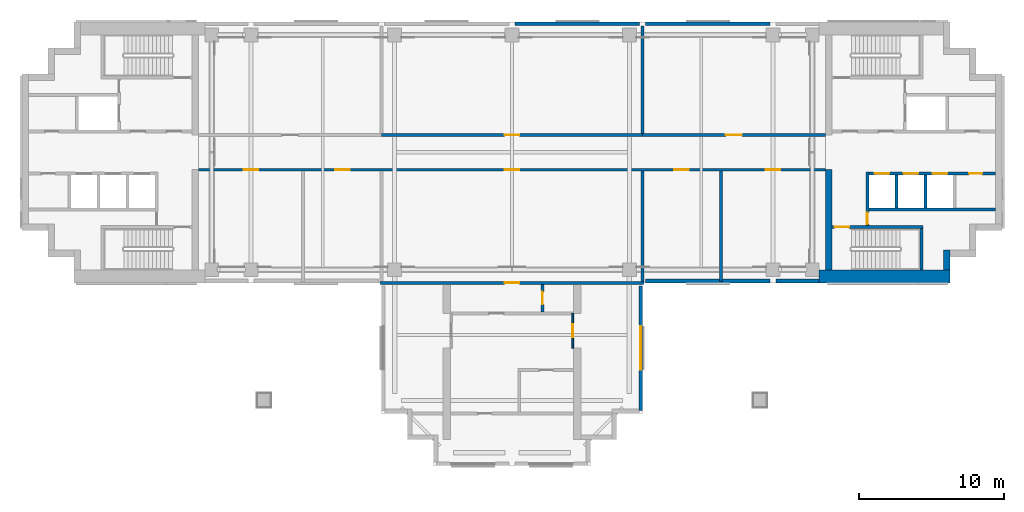
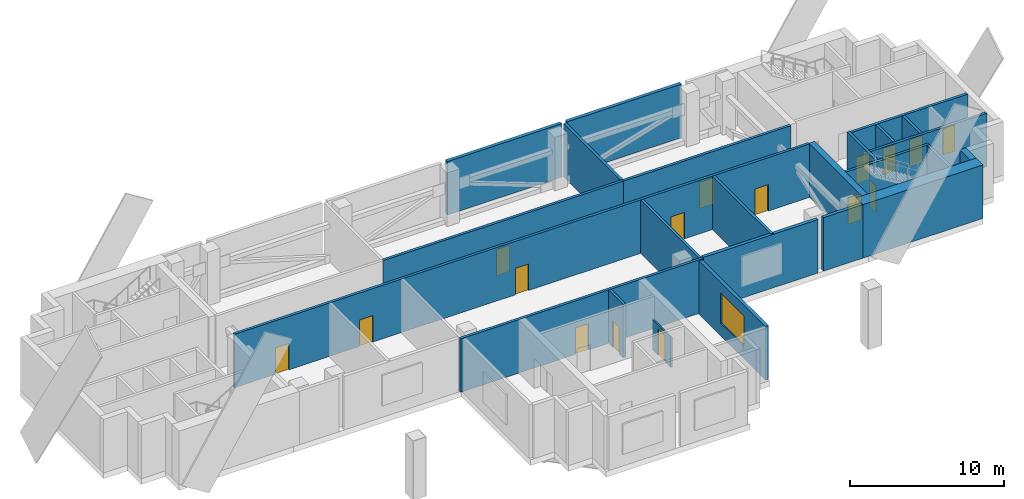
# One storey, part 4 of 8: 24 walls, 16 doors, 1 window, 17 openings.
"""IFC4 building model written with IfcOpenShell, lengths in metres."""

from ifc_helpers import new_model, si_unit, direction, frame, frame_2d, origin, place, context, subcontext, project, spatial, rectangle, extrude, material, layer, layer_set, type_object, element, fill, save


model = new_model("IFC4")

# Units and contexts
model_context = context("Model", 3, precision=1e-05, world=origin(), true_north=direction((0.0, 1.0)))
body_context = subcontext(model_context, "Body", "Model", "MODEL_VIEW")
ifc_project = project(units=[si_unit("LENGTHUNIT", "METRE"), si_unit("AREAUNIT", "SQUARE_METRE"), si_unit("VOLUMEUNIT", "CUBIC_METRE"), si_unit("PLANEANGLEUNIT", "RADIAN"), si_unit("MASSUNIT", "GRAM", prefix="KILO")], contexts=[model_context])

# Site, building, storey
site_placement = place(None, origin())
site = spatial("IfcSite", under=ifc_project, at=site_placement, CompositionType="ELEMENT")
building_placement = place(site_placement, origin())
building = spatial("IfcBuilding", under=site, at=building_placement, Name="Perihelion Cross Residences", CompositionType="ELEMENT")
storey_placement = place(building_placement, frame((0.0, 0.0, 228.0)))
storey = spatial("IfcBuildingStorey", under=building, at=storey_placement, Name="L57", CompositionType="ELEMENT", Elevation=228.0)

# Wall, opening, door
ifc_material_1 = material(Name="Plasterboard partition")
ifc_layer_1 = layer(ifc_material_1, 0.199951171875)
ifc_layer_set_1 = layer_set([ifc_layer_1], Name="Apartment riser wall 200")
wall_type_1 = type_object("IfcWallType", Name="Apartment riser wall 200", PredefinedType="PARTITIONING", material=ifc_layer_set_1)
wall_1_placement = place(storey_placement, frame((-9.0, 1.199951171875, 0.0), z_axis=(0.0, 0.0, 1.0), x_axis=(1.0, 0.0, 0.0)))
wall_1 = element("IfcWall", 1, at=wall_1_placement, inside=storey, type_object=wall_type_1, Name="Partition L57 W001", PredefinedType="PARTITIONING", context=body_context, shape_type="SweptSolid", body=[
    extrude(rectangle(XDim=18.0, YDim=0.199951171875, at=frame_2d((9.0, 0.0))), origin(), (0.0, 0.0, 1.0), 4.25),
])
opening_1_placement = place(wall_1_placement, frame((8.5, 0.0, 0.0)))
opening_1 = element("IfcOpeningElement", 2, at=opening_1_placement, cuts=wall_1, Name="Opening L57.A01", PredefinedType="OPENING", context=body_context, shape_type="SweptSolid", body=[
    extrude(rectangle(XDim=1.0, YDim=2.10009765625, at=frame_2d((0.5, 1.050048828125))), frame((0.0, 0.10986328125, 0.0), z_axis=(0.0, -1.0, 0.0), x_axis=(1.0, 0.0, 0.0)), (0.0, 0.0, 1.0), 0.219970703125),
])
ifc_material_2 = material(Name="Steel door leaf", Category="steel")
door_type_1 = type_object("IfcDoorType", Name="Plant floor door 1000 x 2100", OperationType="SINGLE_SWING_LEFT", PredefinedType="DOOR", material=ifc_material_2)
door_1_placement = place(opening_1_placement, origin())
door_1 = element("IfcDoor", 3, at=door_1_placement, inside=storey, type_object=door_type_1, Name="Door L57.A01", OperationType="SINGLE_SWING_RIGHT", OverallHeight=2.10009765625, OverallWidth=1.0, PredefinedType="DOOR", context=body_context, shape_type="SweptSolid", body=[
    extrude(rectangle(XDim=1.0, YDim=2.10009765625, at=frame_2d((0.5, 1.050048828125))), frame((0.0, 0.02490234375, 0.0), z_axis=(0.0, -1.0, 0.0), x_axis=(1.0, 0.0, 0.0)), (0.0, 0.0, 1.0), 0.050048828125),
])
fill(opening_1, door_1)

# Wall, openings, doors
wall_2_placement = place(storey_placement, frame((21.60009765625, -1.199951171875, 0.0), z_axis=(0.0, 0.0, 1.0), x_axis=(-1.0, 0.0, 0.0)))
wall_2 = element("IfcWall", 4, at=wall_2_placement, inside=storey, type_object=wall_type_1, Name="Partition L57 W002", PredefinedType="PARTITIONING", context=body_context, shape_type="SweptSolid", body=[
    extrude(rectangle(XDim=43.2001953125, YDim=0.199951171875, at=frame_2d((21.60009765625, 0.0))), origin(), (0.0, 0.0, 1.0), 4.25),
])
opening_2_placement = place(wall_2_placement, frame((21.10009765625, 0.0, 0.0)))
opening_2 = element("IfcOpeningElement", 5, at=opening_2_placement, cuts=wall_2, Name="Opening L57.A02", PredefinedType="OPENING", context=body_context, shape_type="SweptSolid", body=[
    extrude(rectangle(XDim=1.0, YDim=2.10009765625, at=frame_2d((0.5, 1.050048828125))), frame((0.0, 0.10986328125, 0.0), z_axis=(0.0, -1.0, 0.0), x_axis=(1.0, 0.0, 0.0)), (0.0, 0.0, 1.0), 0.219970703125),
])
opening_3_placement = place(wall_2_placement, frame((9.39990234375, 0.0, 0.0)))
opening_3 = element("IfcOpeningElement", 6, at=opening_3_placement, cuts=wall_2, Name="Opening L57.A04", PredefinedType="OPENING", context=body_context, shape_type="SweptSolid", body=[
    extrude(rectangle(XDim=1.0, YDim=2.10009765625, at=frame_2d((0.5, 1.050048828125))), frame((0.0, 0.10986328125, 0.0), z_axis=(0.0, -1.0, 0.0), x_axis=(1.0, 0.0, 0.0)), (0.0, 0.0, 1.0), 0.219970703125),
])
opening_4_placement = place(wall_2_placement, frame((3.10009765625, 0.0, 0.0)))
opening_4 = element("IfcOpeningElement", 7, at=opening_4_placement, cuts=wall_2, Name="Opening L57.A05", PredefinedType="OPENING", context=body_context, shape_type="SweptSolid", body=[
    extrude(rectangle(XDim=1.0, YDim=2.10009765625, at=frame_2d((0.5, 1.050048828125))), frame((0.0, 0.10986328125, 0.0), z_axis=(0.0, -1.0, 0.0), x_axis=(1.0, 0.0, 0.0)), (0.0, 0.0, 1.0), 0.219970703125),
])
opening_5_placement = place(wall_2_placement, frame((32.800048828125, 0.0, 0.0)))
opening_5 = element("IfcOpeningElement", 8, at=opening_5_placement, cuts=wall_2, Name="Opening L57.A07", PredefinedType="OPENING", context=body_context, shape_type="SweptSolid", body=[
    extrude(rectangle(XDim=1.0, YDim=2.10009765625, at=frame_2d((0.5, 1.050048828125))), frame((0.0, 0.10986328125, 0.0), z_axis=(0.0, -1.0, 0.0), x_axis=(1.0, 0.0, 0.0)), (0.0, 0.0, 1.0), 0.219970703125),
])
opening_6_placement = place(wall_2_placement, frame((39.10009765625, 0.0, 0.0)))
opening_6 = element("IfcOpeningElement", 9, at=opening_6_placement, cuts=wall_2, Name="Opening L57.A08", PredefinedType="OPENING", context=body_context, shape_type="SweptSolid", body=[
    extrude(rectangle(XDim=1.0, YDim=2.10009765625, at=frame_2d((0.5, 1.050048828125))), frame((0.0, 0.10986328125, 0.0), z_axis=(0.0, -1.0, 0.0), x_axis=(1.0, 0.0, 0.0)), (0.0, 0.0, 1.0), 0.219970703125),
])
door_2_placement = place(opening_2_placement, origin())
door_2 = element("IfcDoor", 10, at=door_2_placement, inside=storey, type_object=door_type_1, Name="Door L57.A02", OperationType="SINGLE_SWING_RIGHT", OverallHeight=2.10009765625, OverallWidth=1.0, PredefinedType="DOOR", context=body_context, shape_type="SweptSolid", body=[
    extrude(rectangle(XDim=1.0, YDim=2.10009765625, at=frame_2d((0.5, 1.050048828125))), frame((0.0, 0.02490234375, 0.0), z_axis=(0.0, -1.0, 0.0), x_axis=(1.0, 0.0, 0.0)), (0.0, 0.0, 1.0), 0.050048828125),
])
fill(opening_2, door_2)
door_3_placement = place(opening_3_placement, origin())
door_3 = element("IfcDoor", 11, at=door_3_placement, inside=storey, type_object=door_type_1, Name="Door L57.A04", OperationType="SINGLE_SWING_RIGHT", OverallHeight=2.10009765625, OverallWidth=1.0, PredefinedType="DOOR", context=body_context, shape_type="SweptSolid", body=[
    extrude(rectangle(XDim=1.0, YDim=2.10009765625, at=frame_2d((0.5, 1.050048828125))), frame((0.0, 0.02490234375, 0.0), z_axis=(0.0, -1.0, 0.0), x_axis=(1.0, 0.0, 0.0)), (0.0, 0.0, 1.0), 0.050048828125),
])
fill(opening_3, door_3)
door_4_placement = place(opening_4_placement, origin())
door_4 = element("IfcDoor", 12, at=door_4_placement, inside=storey, type_object=door_type_1, Name="Door L57.A05", OperationType="SINGLE_SWING_LEFT", OverallHeight=2.10009765625, OverallWidth=1.0, PredefinedType="DOOR", context=body_context, shape_type="SweptSolid", body=[
    extrude(rectangle(XDim=1.0, YDim=2.10009765625, at=frame_2d((0.5, 1.050048828125))), frame((0.0, 0.02490234375, 0.0), z_axis=(0.0, -1.0, 0.0), x_axis=(1.0, 0.0, 0.0)), (0.0, 0.0, 1.0), 0.050048828125),
])
fill(opening_4, door_4)
door_5_placement = place(opening_5_placement, origin())
door_5 = element("IfcDoor", 13, at=door_5_placement, inside=storey, type_object=door_type_1, Name="Door L57.A07", OperationType="SINGLE_SWING_LEFT", OverallHeight=2.10009765625, OverallWidth=1.0, PredefinedType="DOOR", context=body_context, shape_type="SweptSolid", body=[
    extrude(rectangle(XDim=1.0, YDim=2.10009765625, at=frame_2d((0.5, 1.050048828125))), frame((0.0, 0.02490234375, 0.0), z_axis=(0.0, -1.0, 0.0), x_axis=(1.0, 0.0, 0.0)), (0.0, 0.0, 1.0), 0.050048828125),
])
fill(opening_5, door_5)
door_6_placement = place(opening_6_placement, origin())
door_6 = element("IfcDoor", 14, at=door_6_placement, inside=storey, type_object=door_type_1, Name="Door L57.A08", OperationType="SINGLE_SWING_RIGHT", OverallHeight=2.10009765625, OverallWidth=1.0, PredefinedType="DOOR", context=body_context, shape_type="SweptSolid", body=[
    extrude(rectangle(XDim=1.0, YDim=2.10009765625, at=frame_2d((0.5, 1.050048828125))), frame((0.0, 0.02490234375, 0.0), z_axis=(0.0, -1.0, 0.0), x_axis=(1.0, 0.0, 0.0)), (0.0, 0.0, 1.0), 0.050048828125),
])
fill(opening_6, door_6)

# Walls
wall_3_placement = place(storey_placement, frame((9.0, 8.699951171875, 0.0), z_axis=(0.0, 0.0, 1.0), x_axis=(0.0, -1.0, 0.0)))
element("IfcWall", 15, at=wall_3_placement, inside=storey, type_object=wall_type_1, Name="Partition L57 W005", PredefinedType="PARTITIONING", context=body_context, shape_type="SweptSolid", body=[
    extrude(rectangle(XDim=7.39990234375, YDim=0.199951171875, at=frame_2d((3.699951171875, 0.0))), origin(), (0.0, 0.0, 1.0), 4.25),
])
wall_4_placement = place(storey_placement, frame((9.0, -1.300048828125, 0.0), z_axis=(0.0, 0.0, 1.0), x_axis=(0.0, -1.0, 0.0)))
element("IfcWall", 16, at=wall_4_placement, inside=storey, type_object=wall_type_1, Name="Partition L57 W007", PredefinedType="PARTITIONING", context=body_context, shape_type="SweptSolid", body=[
    extrude(rectangle(XDim=7.599853515625, YDim=0.199951171875, at=frame_2d((3.7998046875, 0.0))), origin(), (0.0, 0.0, 1.0), 4.25),
])

# Wall, opening, door
wall_5_placement = place(storey_placement, frame((9.10009765625, -9.0, 0.0), z_axis=(0.0, 0.0, 1.0), x_axis=(-1.0, 0.0, 0.0)))
wall_5 = element("IfcWall", 17, at=wall_5_placement, inside=storey, type_object=wall_type_1, Name="Partition L57 W009", PredefinedType="PARTITIONING", context=body_context, shape_type="SweptSolid", body=[
    extrude(rectangle(XDim=18.2001953125, YDim=0.199951171875, at=frame_2d((9.10009765625, 0.0))), origin(), (0.0, 0.0, 1.0), 4.25),
])
opening_7_placement = place(wall_5_placement, frame((8.60009765625, 0.0, 0.0)))
opening_7 = element("IfcOpeningElement", 18, at=opening_7_placement, cuts=wall_5, Name="Opening L57.A09", PredefinedType="OPENING", context=body_context, shape_type="SweptSolid", body=[
    extrude(rectangle(XDim=1.0, YDim=2.10009765625, at=frame_2d((0.5, 1.050048828125))), frame((0.0, 0.10986328125, 0.0), z_axis=(0.0, -1.0, 0.0), x_axis=(1.0, 0.0, 0.0)), (0.0, 0.0, 1.0), 0.219970703125),
])
door_7_placement = place(opening_7_placement, origin())
door_7 = element("IfcDoor", 19, at=door_7_placement, inside=storey, type_object=door_type_1, Name="Door L57.A09", OperationType="SINGLE_SWING_LEFT", OverallHeight=2.10009765625, OverallWidth=1.0, PredefinedType="DOOR", context=body_context, shape_type="SweptSolid", body=[
    extrude(rectangle(XDim=1.0, YDim=2.10009765625, at=frame_2d((0.5, 1.050048828125))), frame((0.0, 0.02490234375, 0.0), z_axis=(0.0, -1.0, 0.0), x_axis=(1.0, 0.0, 0.0)), (0.0, 0.0, 1.0), 0.050048828125),
])
fill(opening_7, door_7)

# Wall
wall_6_placement = place(storey_placement, frame((14.39990234375, -1.300048828125, 0.0), z_axis=(0.0, 0.0, 1.0), x_axis=(0.0, -1.0, 0.0)))
element("IfcWall", 20, at=wall_6_placement, inside=storey, type_object=wall_type_1, Name="Partition L57 W010", PredefinedType="PARTITIONING", context=body_context, shape_type="SweptSolid", body=[
    extrude(rectangle(XDim=7.599853515625, YDim=0.199951171875, at=frame_2d((3.7998046875, 0.0))), origin(), (0.0, 0.0, 1.0), 4.25),
])

# Wall, opening, door
wall_7_placement = place(storey_placement, frame((2.10009765625, -9.10009765625, 0.0), z_axis=(0.0, 0.0, 1.0), x_axis=(0.0, -1.0, 0.0)))
wall_7 = element("IfcWall", 21, at=wall_7_placement, inside=storey, type_object=wall_type_1, Name="Partition L57 W012", PredefinedType="PARTITIONING", context=body_context, shape_type="SweptSolid", body=[
    extrude(rectangle(XDim=1.89990234375, YDim=0.199951171875, at=frame_2d((0.949951171875, 0.0))), origin(), (0.0, 0.0, 1.0), 4.25),
])
opening_8_placement = place(wall_7_placement, frame((0.52490234375, 0.0, 0.0)))
opening_8 = element("IfcOpeningElement", 22, at=opening_8_placement, cuts=wall_7, Name="Opening L57.A10", PredefinedType="OPENING", context=body_context, shape_type="SweptSolid", body=[
    extrude(rectangle(XDim=0.85009765625, YDim=2.10009765625, at=frame_2d((0.425048828125, 1.050048828125))), frame((0.0, 0.10986328125, 0.0), z_axis=(0.0, -1.0, 0.0), x_axis=(1.0, 0.0, 0.0)), (0.0, 0.0, 1.0), 0.219970703125),
])
ifc_material_3 = material(Name="Timber door leaf", Category="wood")
door_type_2 = type_object("IfcDoorType", Name="Interior bathroom door 850 x 2100", OperationType="SINGLE_SWING_LEFT", PredefinedType="DOOR", material=ifc_material_3)
door_8_placement = place(opening_8_placement, origin())
door_8 = element("IfcDoor", 23, at=door_8_placement, inside=storey, type_object=door_type_2, Name="Door L57.A10", OperationType="SINGLE_SWING_RIGHT", OverallHeight=2.10009765625, OverallWidth=0.85009765625, PredefinedType="DOOR", context=body_context, shape_type="SweptSolid", body=[
    extrude(rectangle(XDim=0.85009765625, YDim=2.10009765625, at=frame_2d((0.425048828125, 1.050048828125))), frame((0.0, 0.02490234375, 0.0), z_axis=(0.0, -1.0, 0.0), x_axis=(1.0, 0.0, 0.0)), (0.0, 0.0, 1.0), 0.050048828125),
])
fill(opening_8, door_8)

ifc_material_4 = material(Name="Plasterboard partition")
ifc_layer_2 = layer(ifc_material_4, 0.199951171875)
ifc_layer_set_2 = layer_set([ifc_layer_2], Name="Apartment separation wall 200")
wall_type_2 = type_object("IfcWallType", Name="Apartment separation wall 200", PredefinedType="PARTITIONING", material=ifc_layer_set_2)
wall_8_placement = place(storey_placement, frame((9.0, 1.199951171875, 0.0), z_axis=(0.0, 0.0, 1.0), x_axis=(1.0, 0.0, 0.0)))
wall_8 = element("IfcWall", 24, at=wall_8_placement, inside=storey, type_object=wall_type_2, Name="Partition L57 W003", PredefinedType="PARTITIONING", context=body_context, shape_type="SweptSolid", body=[
    extrude(rectangle(XDim=12.60009765625, YDim=0.199951171875, at=frame_2d((6.300048828125, 0.0))), origin(), (0.0, 0.0, 1.0), 4.25),
])
opening_9_placement = place(wall_8_placement, frame((5.75, 0.0, 0.0)))
opening_9 = element("IfcOpeningElement", 25, at=opening_9_placement, cuts=wall_8, Name="Opening L57.A03", PredefinedType="OPENING", context=body_context, shape_type="SweptSolid", body=[
    extrude(rectangle(XDim=1.10009765625, YDim=2.10009765625, at=frame_2d((0.550048828125, 1.050048828125))), frame((0.0, 0.10986328125, 0.0), z_axis=(0.0, -1.0, 0.0), x_axis=(1.0, 0.0, 0.0)), (0.0, 0.0, 1.0), 0.219970703125),
])
ifc_material_5 = material(Name="Steel door leaf", Category="steel")
door_type_3 = type_object("IfcDoorType", Name="Refuge room door 1100 x 2100", OperationType="SINGLE_SWING_LEFT", PredefinedType="DOOR", material=ifc_material_5)
door_9_placement = place(opening_9_placement, origin())
door_9 = element("IfcDoor", 26, at=door_9_placement, inside=storey, type_object=door_type_3, Name="Door L57.A03", OperationType="SINGLE_SWING_LEFT", OverallHeight=2.10009765625, OverallWidth=1.10009765625, PredefinedType="DOOR", context=body_context, shape_type="SweptSolid", body=[
    extrude(rectangle(XDim=1.10009765625, YDim=2.10009765625, at=frame_2d((0.550048828125, 1.050048828125))), frame((0.0, 0.02490234375, 0.0), z_axis=(0.0, -1.0, 0.0), x_axis=(1.0, 0.0, 0.0)), (0.0, 0.0, 1.0), 0.050048828125),
])
fill(opening_9, door_9)

# Walls
ifc_material_6 = material(Name="Concrete C60/75", Category="concrete")
ifc_layer_3 = layer(ifc_material_6, 0.449951171875)
ifc_layer_set_3 = layer_set([ifc_layer_3], Name="Core wall, inner 450")
wall_type_3 = type_object("IfcWallType", Name="Core wall, inner 450", PredefinedType="SHEAR", material=ifc_layer_set_3)
wall_9_placement = place(storey_placement, frame((21.824951171875, -8.10009765625, 0.0), z_axis=(0.0, 0.0, 1.0), x_axis=(0.0, 1.0, 0.0)))
element("IfcWall", 27, at=wall_9_placement, inside=storey, type_object=wall_type_3, Name="East core core wall, inner", PredefinedType="SHEAR", context=body_context, shape_type="SweptSolid", body=[
    extrude(rectangle(XDim=6.900146484375, YDim=0.449951171875, at=frame_2d((3.4501953125, 0.0))), origin(), (0.0, 0.0, 1.0), 4.25),
])
ifc_material_7 = material(Name="Concrete C60/75", Category="concrete")
ifc_layer_4 = layer(ifc_material_7, 0.449951171875)
ifc_layer_set_4 = layer_set([ifc_layer_4], Name="Core wall, outer 450")
wall_type_4 = type_object("IfcWallType", Name="Core wall, outer 450", PredefinedType="SHEAR", material=ifc_layer_set_4)
wall_10_placement = place(storey_placement, frame((29.97509765625, -8.10009765625, 0.0), z_axis=(0.0, 0.0, 1.0), x_axis=(0.0, 1.0, 0.0)))
element("IfcWall", 28, at=wall_10_placement, inside=storey, type_object=wall_type_4, Name="East core core wall, outer", PredefinedType="SHEAR", context=body_context, shape_type="SweptSolid", body=[
    extrude(rectangle(XDim=1.35009765625, YDim=0.449951171875, at=frame_2d((0.675048828125, 0.0))), origin(), (0.0, 0.0, 1.0), 4.25),
])
ifc_material_8 = material(Name="Concrete C60/75", Category="concrete")
ifc_layer_5 = layer(ifc_material_8, 0.89990234375)
ifc_layer_set_5 = layer_set([ifc_layer_5], Name="Core wall, outer 900")
wall_type_5 = type_object("IfcWallType", Name="Core wall, outer 900", PredefinedType="SHEAR", material=ifc_layer_set_5)
wall_11_placement = place(storey_placement, frame((21.175048828125, -8.550048828125, 0.0), z_axis=(0.0, 0.0, 1.0), x_axis=(1.0, 0.0, 0.0)))
element("IfcWall", 29, at=wall_11_placement, inside=storey, type_object=wall_type_5, Name="East core core wall, outer", PredefinedType="SHEAR", context=body_context, shape_type="SweptSolid", body=[
    extrude(rectangle(XDim=9.02490234375, YDim=0.89990234375, at=frame_2d((4.512451171875, 0.0))), origin(), (0.0, 0.0, 1.0), 4.25),
])

# Wall, opening, door
ifc_material_9 = material(Name="Plasterboard partition")
ifc_layer_6 = layer(ifc_material_9, 0.1201171875)
ifc_layer_set_6 = layer_set([ifc_layer_6], Name="Infill panel 120")
wall_type_6 = type_object("IfcWallType", Name="Infill panel 120", PredefinedType="PARTITIONING", material=ifc_layer_set_6)
wall_12_placement = place(storey_placement, frame((4.18994140625, -11.10009765625, 0.0), z_axis=(0.0, 0.0, 1.0), x_axis=(0.0, -1.0, 0.0)))
wall_12 = element("IfcWall", 30, at=wall_12_placement, inside=storey, type_object=wall_type_6, Name="Partition L57 WI01", PredefinedType="PARTITIONING", context=body_context, shape_type="SweptSolid", body=[
    extrude(rectangle(XDim=2.39990234375, YDim=0.1201171875, at=frame_2d((1.199951171875, 0.0))), origin(), (0.0, 0.0, 1.0), 2.39990234375),
])
opening_10_placement = place(wall_12_placement, frame((0.75, 0.0, 0.0)))
opening_10 = element("IfcOpeningElement", 31, at=opening_10_placement, cuts=wall_12, Name="Opening L57.A14", PredefinedType="OPENING", context=body_context, shape_type="SweptSolid", body=[
    extrude(rectangle(XDim=0.89990234375, YDim=2.10009765625, at=frame_2d((0.449951171875, 1.050048828125))), frame((0.0, 0.070068359375, 0.0), z_axis=(0.0, -1.0, 0.0), x_axis=(1.0, 0.0, 0.0)), (0.0, 0.0, 1.0), 0.14013671875),
])
ifc_material_10 = material(Name="Timber door leaf", Category="wood")
door_type_4 = type_object("IfcDoorType", Name="Interior room door 900 x 2100", OperationType="SINGLE_SWING_LEFT", PredefinedType="DOOR", material=ifc_material_10)
door_10_placement = place(opening_10_placement, origin())
door_10 = element("IfcDoor", 32, at=door_10_placement, inside=storey, type_object=door_type_4, Name="Door L57.A14", OperationType="SINGLE_SWING_LEFT", OverallHeight=2.10009765625, OverallWidth=0.89990234375, PredefinedType="DOOR", context=body_context, shape_type="SweptSolid", body=[
    extrude(rectangle(XDim=0.89990234375, YDim=2.10009765625, at=frame_2d((0.449951171875, 1.050048828125))), frame((0.0, 0.02490234375, 0.0), z_axis=(0.0, -1.0, 0.0), x_axis=(1.0, 0.0, 0.0)), (0.0, 0.0, 1.0), 0.050048828125),
])
fill(opening_10, door_10)

ifc_material_11 = material(Name="Concrete C50/60", Category="concrete")
ifc_layer_7 = layer(ifc_material_11, 0.199951171875)
ifc_layer_set_7 = layer_set([ifc_layer_7], Name="Lobby wall 200")
wall_type_7 = type_object("IfcWallType", Name="Lobby wall 200", PredefinedType="SOLIDWALL", material=ifc_layer_set_7)
wall_13_placement = place(storey_placement, frame((24.5, -5.050048828125, 0.0), z_axis=(0.0, 0.0, 1.0), x_axis=(0.0, 1.0, 0.0)))
wall_13 = element("IfcWall", 33, at=wall_13_placement, inside=storey, type_object=wall_type_7, Name="East core lobby wall", PredefinedType="SOLIDWALL", context=body_context, shape_type="SweptSolid", body=[
    extrude(rectangle(XDim=3.699951171875, YDim=0.199951171875, at=frame_2d((1.85009765625, 0.0))), origin(), (0.0, 0.0, 1.0), 4.25),
])
opening_11_placement = place(wall_13_placement, frame((0.10009765625, 0.0, 0.0)))
opening_11 = element("IfcOpeningElement", 34, at=opening_11_placement, cuts=wall_13, Name="Opening L57.C08", PredefinedType="OPENING", context=body_context, shape_type="SweptSolid", body=[
    extrude(rectangle(XDim=0.800048828125, YDim=2.10009765625, at=frame_2d((0.39990234375, 1.050048828125))), frame((0.0, 0.10986328125, 0.0), z_axis=(0.0, -1.0, 0.0), x_axis=(1.0, 0.0, 0.0)), (0.0, 0.0, 1.0), 0.219970703125),
])
ifc_material_12 = material(Name="Steel, powder coated", Category="steel")
door_type_5 = type_object("IfcDoorType", Name="Riser door 800", OperationType="SINGLE_SWING_LEFT", PredefinedType="DOOR", material=ifc_material_12)
door_11_placement = place(opening_11_placement, origin())
door_11 = element("IfcDoor", 35, at=door_11_placement, inside=storey, type_object=door_type_5, Name="East core riser door", OperationType="SINGLE_SWING_LEFT", OverallHeight=2.10009765625, OverallWidth=0.800048828125, PredefinedType="DOOR", context=body_context, shape_type="SweptSolid", body=[
    extrude(rectangle(XDim=0.800048828125, YDim=2.10009765625, at=frame_2d((0.39990234375, 1.050048828125))), frame((0.0, 0.02490234375, 0.0), z_axis=(0.0, -1.0, 0.0), x_axis=(1.0, 0.0, 0.0)), (0.0, 0.0, 1.0), 0.050048828125),
])
fill(opening_11, door_11)

# Walls
ifc_material_13 = material(Name="Concrete C30/37, bronze-clad", Category="concrete")
ifc_layer_8 = layer(ifc_material_13, 0.25)
ifc_layer_set_8 = layer_set([ifc_layer_8], Name="Louvre bay wall 250")
wall_type_8 = type_object("IfcWallType", Name="Louvre bay wall 250", PredefinedType="SOLIDWALL", material=ifc_layer_set_8)
for number, where, z_axis, x_axis, name in (
    (36, (17.800048828125, 8.875, 0.0), (0.0, 0.0, 1.0), (-1.0, 0.0, 0.0), "Wall FW2 L57 east side north bay 2 louvre"),
    (37, (8.800048828125, 8.875, 0.0), (0.0, 0.0, 1.0), (-1.0, 0.0, 0.0), "Wall FW2 L57 north side east bay 1 louvre"),
):
    element("IfcWall", number, at=place(storey_placement, frame(where, z_axis=z_axis, x_axis=x_axis)), inside=storey, type_object=wall_type_8, Name=name, PredefinedType="SOLIDWALL", context=body_context, shape_type="SweptSolid", body=[
        extrude(rectangle(XDim=8.60009765625, YDim=0.25, at=frame_2d((4.300048828125, 0.0))), origin(), (0.0, 0.0, 1.0), 4.25),
    ])

# Wall, opening, window
wall_14_placement = place(storey_placement, frame((8.875, -17.800048828125, 0.0), z_axis=(0.0, 0.0, 1.0), x_axis=(0.0, 1.0, 0.0)))
wall_14 = element("IfcWall", 38, at=wall_14_placement, inside=storey, type_object=wall_type_8, Name="Wall FW2 L57 south side east bay 1 louvre", PredefinedType="SOLIDWALL", context=body_context, shape_type="SweptSolid", body=[
    extrude(rectangle(XDim=8.60009765625, YDim=0.25, at=frame_2d((4.300048828125, 0.0))), origin(), (0.0, 0.0, 1.0), 4.25),
])
opening_12_placement = place(wall_14_placement, frame((2.800048828125, 0.0, 1.0)))
opening_12 = element("IfcOpeningElement", 39, at=opening_12_placement, cuts=wall_14, Name="Opening L57.W04", PredefinedType="OPENING", context=body_context, shape_type="SweptSolid", body=[
    extrude(rectangle(XDim=3.0, YDim=2.39990234375, at=frame_2d((1.5, 1.199951171875))), frame((0.0, 0.135009765625, 0.0), z_axis=(0.0, -1.0, 0.0), x_axis=(1.0, 0.0, 0.0)), (0.0, 0.0, 1.0), 0.27001953125),
])
ifc_material_14 = material(Name="Bronze anodised aluminium, louvred", Category="aluminium")
window_type = type_object("IfcWindowType", Name="Louvred vent 3000 x 2400", PartitioningType="SINGLE_PANEL", PredefinedType="WINDOW", material=ifc_material_14)
window_placement = place(opening_12_placement, origin())
window = element("IfcWindow", 40, at=window_placement, inside=storey, type_object=window_type, Name="Window L57.W04 south side east bay 1 vent", OverallHeight=2.39990234375, OverallWidth=3.0, PartitioningType="SINGLE_PANEL", PredefinedType="WINDOW", context=body_context, shape_type="SweptSolid", body=[
    extrude(rectangle(XDim=3.0, YDim=2.39990234375, at=frame_2d((1.5, 1.199951171875))), frame((0.0, 0.030029296875, 0.0), z_axis=(0.0, -1.0, 0.0), x_axis=(1.0, 0.0, 0.0)), (0.0, 0.0, 1.0), 0.06005859375),
])
fill(opening_12, window)

# Walls
wall_15_placement = place(storey_placement, frame((9.199951171875, -8.875, 0.0), z_axis=(0.0, 0.0, 1.0), x_axis=(1.0, 0.0, 0.0)))
element("IfcWall", 41, at=wall_15_placement, inside=storey, type_object=wall_type_8, Name="Wall FW2 L57 east side south bay 1 louvre", PredefinedType="SOLIDWALL", context=body_context, shape_type="SweptSolid", body=[
    extrude(rectangle(XDim=8.60009765625, YDim=0.25, at=frame_2d((4.300048828125, 0.0))), origin(), (0.0, 0.0, 1.0), 4.25),
])
wall_16_placement = place(storey_placement, frame((18.199951171875, -8.875, 0.0), z_axis=(0.0, 0.0, 1.0), x_axis=(1.0, 0.0, 0.0)))
element("IfcWall", 42, at=wall_16_placement, inside=storey, type_object=wall_type_8, Name="Wall FW2 L57 east side south bay 2 louvre", PredefinedType="SOLIDWALL", context=body_context, shape_type="SweptSolid", body=[
    extrude(rectangle(XDim=2.97509765625, YDim=0.25, at=frame_2d((1.487548828125, 0.0))), origin(), (0.0, 0.0, 1.0), 4.25),
])

# Wall, openings, doors
ifc_material_15 = material(Name="Concrete C50/60", Category="concrete")
ifc_layer_9 = layer(ifc_material_15, 0.199951171875)
ifc_layer_set_9 = layer_set([ifc_layer_9], Name="Shaft wall 200")
wall_type_9 = type_object("IfcWallType", Name="Shaft wall 200", PredefinedType="SOLIDWALL", material=ifc_layer_set_9)
wall_17_placement = place(storey_placement, frame((24.60009765625, -1.449951171875, 0.0), z_axis=(0.0, 0.0, 1.0), x_axis=(1.0, 0.0, 0.0)))
wall_17 = element("IfcWall", 43, at=wall_17_placement, inside=storey, type_object=wall_type_9, Name="East core shaft wall", PredefinedType="SOLIDWALL", context=body_context, shape_type="SweptSolid", body=[
    extrude(rectangle(XDim=8.75, YDim=0.199951171875, at=frame_2d((4.375, 0.0))), origin(), (0.0, 0.0, 1.0), 4.25),
])
opening_13_placement = place(wall_17_placement, frame((0.39990234375, 0.0, 0.0)))
opening_13 = element("IfcOpeningElement", 44, at=opening_13_placement, cuts=wall_17, Name="Opening L57.C01", PredefinedType="OPENING", context=body_context, shape_type="SweptSolid", body=[
    extrude(rectangle(XDim=1.0, YDim=2.10009765625, at=frame_2d((0.5, 1.050048828125))), frame((0.0, 0.10986328125, 0.0), z_axis=(0.0, -1.0, 0.0), x_axis=(1.0, 0.0, 0.0)), (0.0, 0.0, 1.0), 0.219970703125),
])
opening_14_placement = place(wall_17_placement, frame((2.39990234375, 0.0, 0.0)))
opening_14 = element("IfcOpeningElement", 45, at=opening_14_placement, cuts=wall_17, Name="Opening L57.C03", PredefinedType="OPENING", context=body_context, shape_type="SweptSolid", body=[
    extrude(rectangle(XDim=1.0, YDim=2.10009765625, at=frame_2d((0.5, 1.050048828125))), frame((0.0, 0.10986328125, 0.0), z_axis=(0.0, -1.0, 0.0), x_axis=(1.0, 0.0, 0.0)), (0.0, 0.0, 1.0), 0.219970703125),
])
opening_15_placement = place(wall_17_placement, frame((4.39990234375, 0.0, 0.0)))
opening_15 = element("IfcOpeningElement", 46, at=opening_15_placement, cuts=wall_17, Name="Opening L57.C04", PredefinedType="OPENING", context=body_context, shape_type="SweptSolid", body=[
    extrude(rectangle(XDim=1.0, YDim=2.10009765625, at=frame_2d((0.5, 1.050048828125))), frame((0.0, 0.10986328125, 0.0), z_axis=(0.0, -1.0, 0.0), x_axis=(1.0, 0.0, 0.0)), (0.0, 0.0, 1.0), 0.219970703125),
])
opening_16_placement = place(wall_17_placement, frame((6.925048828125, 0.0, 0.0)))
opening_16 = element("IfcOpeningElement", 47, at=opening_16_placement, cuts=wall_17, Name="Opening L57.C12", PredefinedType="OPENING", context=body_context, shape_type="SweptSolid", body=[
    extrude(rectangle(XDim=0.89990234375, YDim=2.10009765625, at=frame_2d((0.449951171875, 1.050048828125))), frame((0.0, 0.10986328125, 0.0), z_axis=(0.0, -1.0, 0.0), x_axis=(1.0, 0.0, 0.0)), (0.0, 0.0, 1.0), 0.219970703125),
])
ifc_material_16 = material(Name="Stainless steel", Category="steel")
door_type_6 = type_object("IfcDoorType", Name="Landing door 1000", OperationType="DOUBLE_DOOR_SLIDING", PredefinedType="DOOR", material=ifc_material_16)
door_12_placement = place(opening_13_placement, origin())
door_12 = element("IfcDoor", 48, at=door_12_placement, inside=storey, type_object=door_type_6, Name="Landing door, East core high-rise lift 1", OperationType="DOUBLE_DOOR_SLIDING", OverallHeight=2.10009765625, OverallWidth=1.0, PredefinedType="DOOR", context=body_context, shape_type="SweptSolid", body=[
    extrude(rectangle(XDim=1.0, YDim=2.10009765625, at=frame_2d((0.5, 1.050048828125))), frame((0.0, 0.02490234375, 0.0), z_axis=(0.0, -1.0, 0.0), x_axis=(1.0, 0.0, 0.0)), (0.0, 0.0, 1.0), 0.050048828125),
])
fill(opening_13, door_12)
door_13_placement = place(opening_14_placement, origin())
door_13 = element("IfcDoor", 49, at=door_13_placement, inside=storey, type_object=door_type_6, Name="Landing door, East core high-rise lift 2", OperationType="DOUBLE_DOOR_SLIDING", OverallHeight=2.10009765625, OverallWidth=1.0, PredefinedType="DOOR", context=body_context, shape_type="SweptSolid", body=[
    extrude(rectangle(XDim=1.0, YDim=2.10009765625, at=frame_2d((0.5, 1.050048828125))), frame((0.0, 0.02490234375, 0.0), z_axis=(0.0, -1.0, 0.0), x_axis=(1.0, 0.0, 0.0)), (0.0, 0.0, 1.0), 0.050048828125),
])
fill(opening_14, door_13)
door_14_placement = place(opening_15_placement, origin())
door_14 = element("IfcDoor", 50, at=door_14_placement, inside=storey, type_object=door_type_6, Name="Landing door, East core high-rise lift 3", OperationType="DOUBLE_DOOR_SLIDING", OverallHeight=2.10009765625, OverallWidth=1.0, PredefinedType="DOOR", context=body_context, shape_type="SweptSolid", body=[
    extrude(rectangle(XDim=1.0, YDim=2.10009765625, at=frame_2d((0.5, 1.050048828125))), frame((0.0, 0.02490234375, 0.0), z_axis=(0.0, -1.0, 0.0), x_axis=(1.0, 0.0, 0.0)), (0.0, 0.0, 1.0), 0.050048828125),
])
fill(opening_15, door_14)
ifc_material_17 = material(Name="Steel, powder coated", Category="steel")
door_type_7 = type_object("IfcDoorType", Name="Service room door 900", OperationType="SINGLE_SWING_LEFT", PredefinedType="DOOR", material=ifc_material_17)
door_15_placement = place(opening_16_placement, origin())
door_15 = element("IfcDoor", 51, at=door_15_placement, inside=storey, type_object=door_type_7, Name="East core service room door", OperationType="SINGLE_SWING_LEFT", OverallHeight=2.10009765625, OverallWidth=0.89990234375, PredefinedType="DOOR", context=body_context, shape_type="SweptSolid", body=[
    extrude(rectangle(XDim=0.89990234375, YDim=2.10009765625, at=frame_2d((0.449951171875, 1.050048828125))), frame((0.0, 0.02490234375, 0.0), z_axis=(0.0, -1.0, 0.0), x_axis=(1.0, 0.0, 0.0)), (0.0, 0.0, 1.0), 0.050048828125),
])
fill(opening_16, door_15)

# Walls
wall_18_placement = place(storey_placement, frame((24.60009765625, -3.949951171875, 0.0), z_axis=(0.0, 0.0, 1.0), x_axis=(1.0, 0.0, 0.0)))
element("IfcWall", 52, at=wall_18_placement, inside=storey, type_object=wall_type_9, Name="East core shaft wall", PredefinedType="SOLIDWALL", context=body_context, shape_type="SweptSolid", body=[
    extrude(rectangle(XDim=8.75, YDim=0.199951171875, at=frame_2d((4.375, 0.0))), origin(), (0.0, 0.0, 1.0), 4.25),
])
for number, where, z_axis, x_axis, name in (
    (53, (26.5, -3.85009765625, 0.0), (0.0, 0.0, 1.0), (0.0, 1.0, 0.0), "East core shaft wall"),
    (54, (28.5, -3.85009765625, 0.0), (0.0, 0.0, 1.0), (0.0, 1.0, 0.0), "East core shaft wall"),
):
    element("IfcWall", number, at=place(storey_placement, frame(where, z_axis=z_axis, x_axis=x_axis)), inside=storey, type_object=wall_type_9, Name=name, PredefinedType="SOLIDWALL", context=body_context, shape_type="SweptSolid", body=[
        extrude(rectangle(XDim=2.300048828125, YDim=0.199951171875, at=frame_2d((1.14990234375, 0.0))), origin(), (0.0, 0.0, 1.0), 4.25),
    ])

# Wall, opening, door
ifc_material_18 = material(Name="Concrete C50/60", Category="concrete")
ifc_layer_10 = layer(ifc_material_18, 0.199951171875)
ifc_layer_set_10 = layer_set([ifc_layer_10], Name="Stair wall 200")
wall_type_10 = type_object("IfcWallType", Name="Stair wall 200", PredefinedType="SOLIDWALL", material=ifc_layer_set_10)
wall_19_placement = place(storey_placement, frame((22.050048828125, -5.14990234375, 0.0), z_axis=(0.0, 0.0, 1.0), x_axis=(1.0, 0.0, 0.0)))
wall_19 = element("IfcWall", 55, at=wall_19_placement, inside=storey, type_object=wall_type_10, Name="East core stair wall", PredefinedType="SOLIDWALL", context=body_context, shape_type="SweptSolid", body=[
    extrude(rectangle(XDim=6.300048828125, YDim=0.199951171875, at=frame_2d((3.14990234375, 0.0))), origin(), (0.0, 0.0, 1.0), 4.25),
])
opening_17_placement = place(wall_19_placement, frame((0.199951171875, 0.0, 0.0)))
opening_17 = element("IfcOpeningElement", 56, at=opening_17_placement, cuts=wall_19, Name="Opening L57.C05", PredefinedType="OPENING", context=body_context, shape_type="SweptSolid", body=[
    extrude(rectangle(XDim=1.0, YDim=2.10009765625, at=frame_2d((0.5, 1.050048828125))), frame((0.0, 0.10986328125, 0.0), z_axis=(0.0, -1.0, 0.0), x_axis=(1.0, 0.0, 0.0)), (0.0, 0.0, 1.0), 0.219970703125),
])
ifc_material_19 = material(Name="Steel, powder coated", Category="steel")
door_type_8 = type_object("IfcDoorType", Name="Stair door 1000", OperationType="SINGLE_SWING_LEFT", PredefinedType="DOOR", material=ifc_material_19)
door_16_placement = place(opening_17_placement, origin())
door_16 = element("IfcDoor", 57, at=door_16_placement, inside=storey, type_object=door_type_8, Name="East core stair door", OperationType="SINGLE_SWING_LEFT", OverallHeight=2.10009765625, OverallWidth=1.0, PredefinedType="DOOR", context=body_context, shape_type="SweptSolid", body=[
    extrude(rectangle(XDim=1.0, YDim=2.10009765625, at=frame_2d((0.5, 1.050048828125))), frame((0.0, 0.02490234375, 0.0), z_axis=(0.0, -1.0, 0.0), x_axis=(1.0, 0.0, 0.0)), (0.0, 0.0, 1.0), 0.050048828125),
])
fill(opening_17, door_16)

# Wall
wall_20_placement = place(storey_placement, frame((28.25, -8.10009765625, 0.0), z_axis=(0.0, 0.0, 1.0), x_axis=(0.0, 1.0, 0.0)))
element("IfcWall", 58, at=wall_20_placement, inside=storey, type_object=wall_type_10, Name="East core stair wall", PredefinedType="SOLIDWALL", context=body_context, shape_type="SweptSolid", body=[
    extrude(rectangle(XDim=2.85009765625, YDim=0.199951171875, at=frame_2d((1.425048828125, 0.0))), origin(), (0.0, 0.0, 1.0), 4.25),
])

save(model, "model.ifc")
